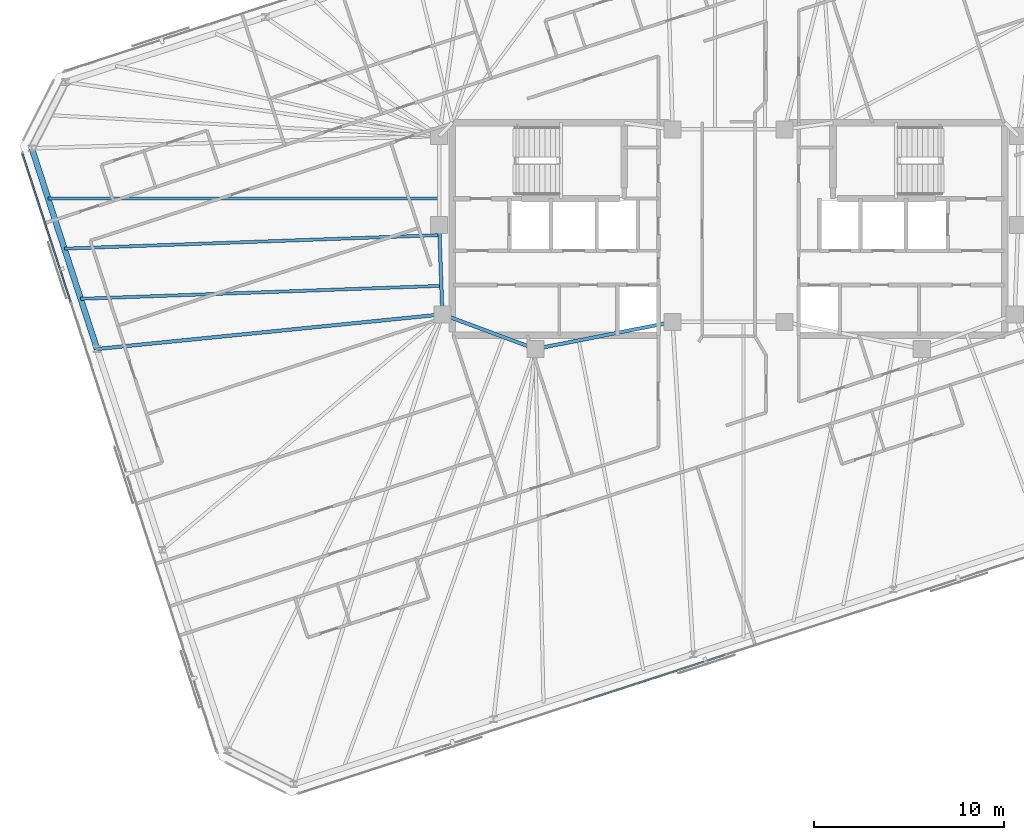
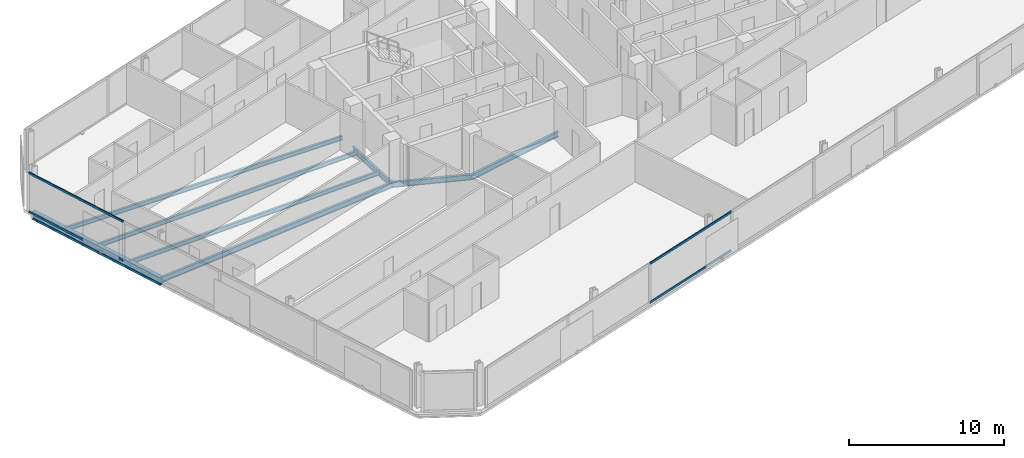
# One storey, part 6 of 19: 8 beams, 4 members, 2 elements without a shape of their own.
"""IFC4 building model written with IfcOpenShell, lengths in metres."""

from ifc_helpers import new_model, si_unit, direction, frame, origin, origin_2d, place, context, subcontext, project, spatial, rectangle, i_section, extrude, material, material_profile, profile_set, type_object, element, aggregate, save


model = new_model("IFC4")

# Units and contexts
model_context = context("Model", 3, precision=1e-05, world=origin(), true_north=direction((0.0, 1.0)))
body_context = subcontext(model_context, "Body", "Model", "MODEL_VIEW")
ifc_project = project(units=[si_unit("LENGTHUNIT", "METRE"), si_unit("AREAUNIT", "SQUARE_METRE"), si_unit("VOLUMEUNIT", "CUBIC_METRE"), si_unit("PLANEANGLEUNIT", "RADIAN"), si_unit("MASSUNIT", "GRAM", prefix="KILO")], contexts=[model_context])

# Site, building, storey
site_placement = place(None, origin())
site = spatial("IfcSite", under=ifc_project, at=site_placement, CompositionType="ELEMENT")
building_placement = place(site_placement, origin())
building = spatial("IfcBuilding", under=site, at=building_placement, Name="Menara Jurai Vektor", CompositionType="ELEMENT")
storey_placement = place(building_placement, frame((0.0, 0.0, 231.0)))
storey = spatial("IfcBuildingStorey", under=building, at=storey_placement, Name="L61", CompositionType="ELEMENT", Elevation=231.0)

# Curtain wall, members
ifc_material_1 = material(Name="Anodised Pale Aluminium & Low-E Double Glazing", Category="aluminium")
curtain_wall_type = type_object("IfcCurtainWallType", Name="CW-BLK4", PredefinedType="NOTDEFINED", material=ifc_material_1)
curtain_wall_1_placement = place(storey_placement, origin())
curtain_wall_1 = element("IfcCurtainWall", 1, at=curtain_wall_1_placement, inside=storey, type_object=curtain_wall_type, Name="Unitised Curtain Wall L61 F05", PredefinedType="NOTDEFINED")
ifc_material_2 = material(Name="Anodised Pale Aluminium Transom", Category="aluminium")
ifc_material_profile_1 = material_profile(ifc_material_2, rectangle(XDim=0.080078125, YDim=0.1650390625, at=origin_2d()), Name="ALU TRN 80x165")
ifc_profile_set_1 = profile_set([ifc_material_profile_1], Name="Anodised Pale Aluminium Transom")
member_type = type_object("IfcMemberType", Name="CW-BLK4-TRN", PredefinedType="USERDEFINED", material=ifc_profile_set_1)
member_1_placement = place(storey_placement, frame((-37.19384765625, 3.950927734375, 0.0400390625), z_axis=(0.309010577384, -0.951058601278, 0.0), x_axis=(0.951058601278, 0.309010577384, 0.0)))
member_1 = element("IfcMember", 2, at=member_1_placement, type_object=member_type, Name="CW-04 transom 1.1", ObjectType="TRANSOM", PredefinedType="USERDEFINED", context=body_context, shape_type="SweptSolid", body=[
    extrude(rectangle(XDim=0.080078125, YDim=0.1650390625, at=origin_2d()), origin(), (0.0, 0.0, 1.0), 8.18994140625),
])
member_2_placement = place(storey_placement, frame((-37.19384765625, 3.950927734375, 3.0849609375), z_axis=(0.309010577384, -0.951058601278, 0.0), x_axis=(0.951058601278, 0.309010577384, 0.0)))
member_2 = element("IfcMember", 3, at=member_2_placement, type_object=member_type, Name="CW-04 transom 1.2", ObjectType="TRANSOM", PredefinedType="USERDEFINED", context=body_context, shape_type="SweptSolid", body=[
    extrude(rectangle(XDim=0.080078125, YDim=0.1650390625, at=origin_2d()), origin(), (0.0, 0.0, 1.0), 8.18994140625),
])
aggregate(curtain_wall_1, [member_1, member_2])

curtain_wall_2_placement = place(storey_placement, origin())
curtain_wall_2 = element("IfcCurtainWall", 4, at=curtain_wall_2_placement, inside=storey, type_object=curtain_wall_type, Name="Unitised Curtain Wall L61 F07", PredefinedType="NOTDEFINED")
member_3_placement = place(storey_placement, frame((-7.639404296875, -24.86669921875, 0.0400390625), z_axis=(0.951059330237, 0.309008333817, 0.0), x_axis=(-0.309008333817, 0.951059330237, 0.0)))
member_3 = element("IfcMember", 5, at=member_3_placement, type_object=member_type, Name="CW-04 transom 3.1", ObjectType="TRANSOM", PredefinedType="USERDEFINED", context=body_context, shape_type="SweptSolid", body=[
    extrude(rectangle(XDim=0.080078125, YDim=0.1650390625, at=origin_2d()), origin(), (0.0, 0.0, 1.0), 7.8115234375),
])
member_4_placement = place(storey_placement, frame((-7.639404296875, -24.86669921875, 3.0849609375), z_axis=(0.951059330237, 0.309008333817, 0.0), x_axis=(-0.309008333817, 0.951059330237, 0.0)))
member_4 = element("IfcMember", 6, at=member_4_placement, type_object=member_type, Name="CW-04 transom 3.2", ObjectType="TRANSOM", PredefinedType="USERDEFINED", context=body_context, shape_type="SweptSolid", body=[
    extrude(rectangle(XDim=0.080078125, YDim=0.1650390625, at=origin_2d()), origin(), (0.0, 0.0, 1.0), 7.8115234375),
])
aggregate(curtain_wall_2, [member_3, member_4])

# Beams
ifc_material_3 = material(Name="Steel S355", Category="steel")
ifc_material_profile_2 = material_profile(ifc_material_3, i_section(OverallWidth=0.18505859375, OverallDepth=0.429931640625, WebThickness=0.010986328125, FlangeThickness=0.01806640625, at=origin_2d()), Name="PG 430x185x76")
ifc_profile_set_2 = profile_set([ifc_material_profile_2], Name="Steel S355")
beam_type_1 = type_object("IfcBeamType", Name="STR-BM-430", PredefinedType="BEAM", material=ifc_profile_set_2)
beam_1_placement = place(storey_placement, frame((-15.080078125, -4.5, -0.43994140625), z_axis=(-0.035977314146, 0.999352606874, 0.0), x_axis=(-0.999352606874, -0.035977314146, 0.0)))
element("IfcBeam", 7, at=beam_1_placement, inside=storey, type_object=beam_type_1, Name="Core Ring Header Girder L61-CHW-W2", PredefinedType="BEAM", context=body_context, shape_type="SweptSolid", body=[
    extrude(i_section(OverallWidth=0.18505859375, OverallDepth=0.429931640625, WebThickness=0.010986328125, FlangeThickness=0.01806640625, at=origin_2d()), origin(), (0.0, 0.0, 1.0), 4.72314453125),
])
beam_2_placement = place(storey_placement, frame((-15.080078125, -4.5, -0.43994140625), z_axis=(0.937424400887, -0.348188874925, 0.0), x_axis=(0.348188874925, 0.937424400887, 0.0)))
element("IfcBeam", 8, at=beam_2_placement, inside=storey, type_object=beam_type_1, Name="Core Ring Header Girder L61-CHW-S1", PredefinedType="BEAM", context=body_context, shape_type="SweptSolid", body=[
    extrude(i_section(OverallWidth=0.18505859375, OverallDepth=0.429931640625, WebThickness=0.010986328125, FlangeThickness=0.01806640625, at=origin_2d()), origin(), (0.0, 0.0, 1.0), 5.227294921875),
])
beam_3_placement = place(storey_placement, frame((-10.179931640625, -6.320068359375, -0.43994140625), z_axis=(0.981249044334, 0.192744164614, 0.0), x_axis=(-0.192744164614, 0.981249044334, 0.0)))
element("IfcBeam", 9, at=beam_3_placement, inside=storey, type_object=beam_type_1, Name="Core Ring Header Girder L61-CHW-S2", PredefinedType="BEAM", context=body_context, shape_type="SweptSolid", body=[
    extrude(i_section(OverallWidth=0.18505859375, OverallDepth=0.429931640625, WebThickness=0.010986328125, FlangeThickness=0.01806640625, at=origin_2d()), origin(), (0.0, 0.0, 1.0), 7.3681640625),
])
beam_4_placement = place(storey_placement, frame((-33.277587890625, -6.322509765625, -0.43994140625), z_axis=(0.995022243563, 0.099653072276, 0.0), x_axis=(-0.099653072276, 0.995022243563, 0.0)))
element("IfcBeam", 10, at=beam_4_placement, inside=storey, type_object=beam_type_1, Name="Radial Floor Girder L61-W2", PredefinedType="BEAM", context=body_context, shape_type="SweptSolid", body=[
    extrude(i_section(OverallWidth=0.18505859375, OverallDepth=0.429931640625, WebThickness=0.010986328125, FlangeThickness=0.01806640625, at=origin_2d()), origin(), (0.0, 0.0, 1.0), 18.28857421875),
])
ifc_material_profile_3 = material_profile(ifc_material_3, i_section(OverallWidth=0.1650390625, OverallDepth=0.330078125, WebThickness=0.009033203125, FlangeThickness=0.013916015625, at=origin_2d()), Name="PG 330x165x46")
ifc_profile_set_3 = profile_set([ifc_material_profile_3], Name="Steel S355")
beam_type_2 = type_object("IfcBeamType", Name="STR-JS-330", PredefinedType="JOIST", material=ifc_profile_set_3)
beam_5_placement = place(storey_placement, frame((-35.8544921875, 1.6083984375, -0.389892578125), z_axis=(1.0, 0.0, 0.0), x_axis=(0.0, 1.0, 0.0)))
element("IfcBeam", 11, at=beam_5_placement, inside=storey, type_object=beam_type_2, Name="Radial Secondary Floor Joist L61-JS25", PredefinedType="JOIST", context=body_context, shape_type="SweptSolid", body=[
    extrude(i_section(OverallWidth=0.1650390625, OverallDepth=0.330078125, WebThickness=0.009033203125, FlangeThickness=0.013916015625, at=origin_2d()), origin(), (0.0, 0.0, 1.0), 20.6044921875),
])
beam_6_placement = place(storey_placement, frame((-34.99560546875, -1.03515625, -0.389892578125), z_axis=(0.999351957959, 0.035995334734, 0.0), x_axis=(-0.035995334734, 0.999351957959, 0.0)))
element("IfcBeam", 12, at=beam_6_placement, inside=storey, type_object=beam_type_2, Name="Radial Secondary Floor Joist L61-JS26", PredefinedType="JOIST", context=body_context, shape_type="SweptSolid", body=[
    extrude(i_section(OverallWidth=0.1650390625, OverallDepth=0.330078125, WebThickness=0.009033203125, FlangeThickness=0.013916015625, at=origin_2d()), origin(), (0.0, 0.0, 1.0), 19.77783203125),
])
beam_7_placement = place(storey_placement, frame((-34.136474609375, -3.6787109375, -0.389892578125), z_axis=(0.999352161922, 0.035989671603, 0.0), x_axis=(-0.035989671603, 0.999352161922, 0.0)))
element("IfcBeam", 13, at=beam_7_placement, inside=storey, type_object=beam_type_2, Name="Radial Secondary Floor Joist L61-JS27", PredefinedType="JOIST", context=body_context, shape_type="SweptSolid", body=[
    extrude(i_section(OverallWidth=0.1650390625, OverallDepth=0.330078125, WebThickness=0.009033203125, FlangeThickness=0.013916015625, at=origin_2d()), origin(), (0.0, 0.0, 1.0), 19.014404296875),
])
ifc_material_profile_4 = material_profile(ifc_material_3, i_section(OverallWidth=0.306884765625, OverallDepth=0.6201171875, WebThickness=0.013916015625, FlangeThickness=0.02392578125, FilletRadius=0.01708984375, at=origin_2d()), Name="UKB 610x305x179")
ifc_profile_set_4 = profile_set([ifc_material_profile_4], Name="Steel S355")
beam_type_3 = type_object("IfcBeamType", Name="STR-SP-610", PredefinedType="SPANDREL", material=ifc_profile_set_4)
beam_8_placement = place(storey_placement, frame((-36.71337890625, 4.251953125, -0.534912109375), z_axis=(0.309012092614, -0.95105810896, 0.0), x_axis=(0.95105810896, 0.309012092614, 0.0)))
element("IfcBeam", 14, at=beam_8_placement, inside=storey, type_object=beam_type_3, Name="Exoskeleton Spandrel Beam L61-17", PredefinedType="SPANDREL", context=body_context, shape_type="SweptSolid", body=[
    extrude(i_section(OverallWidth=0.306884765625, OverallDepth=0.6201171875, WebThickness=0.013916015625, FlangeThickness=0.02392578125, FilletRadius=0.01708984375, at=origin_2d()), origin(), (0.0, 0.0, 1.0), 11.11865234375),
])

save(model, "model.ifc")
